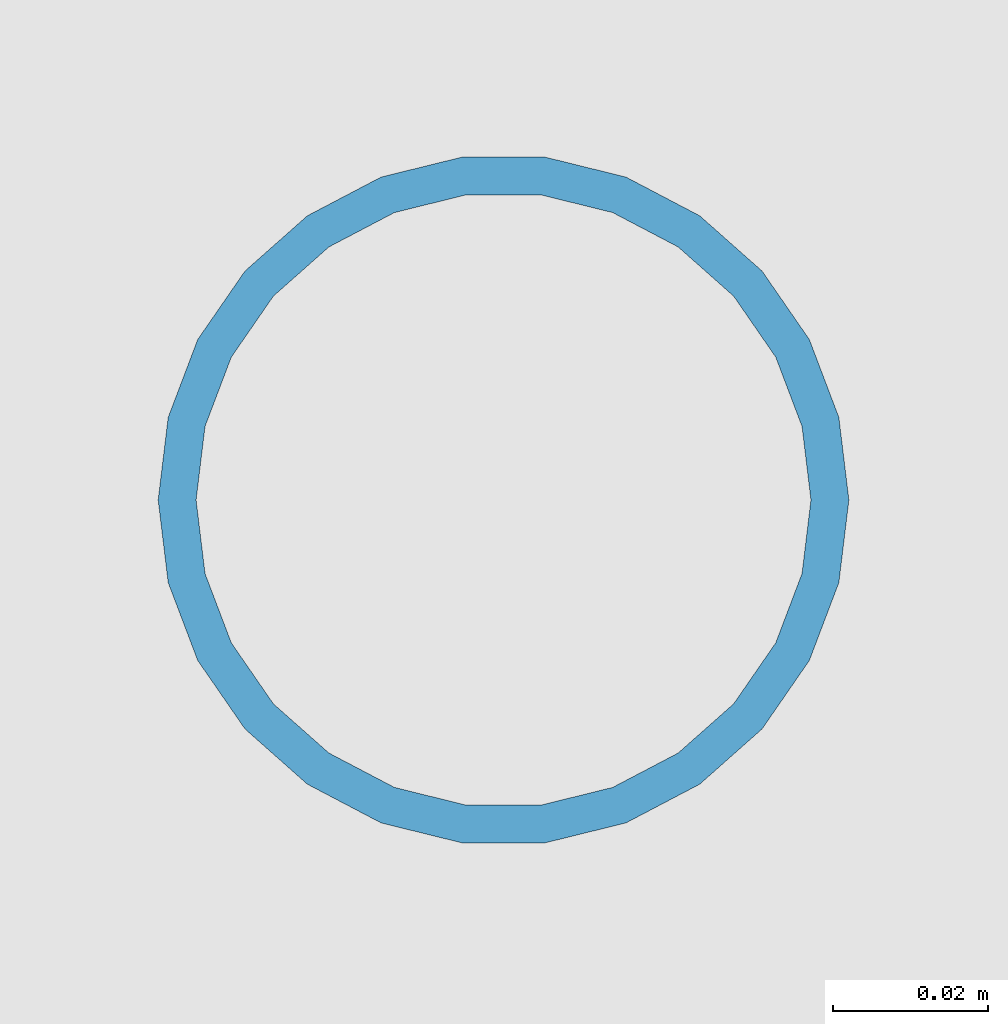
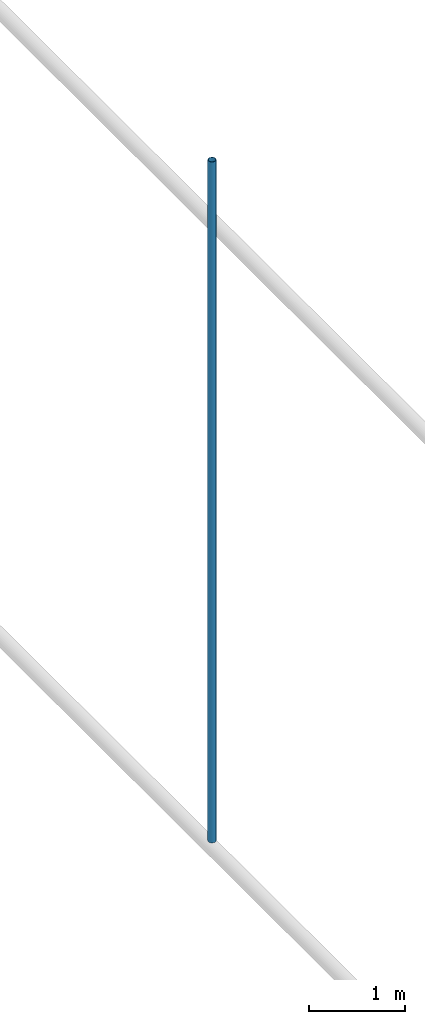
# One storey, part 24 of 109: 1 member.
"""IFC4 building model written with IfcOpenShell, lengths in metres."""

from ifc_helpers import new_model, si_unit, direction, frame, origin, origin_2d, place, context, subcontext, project, spatial, hollow_circle, extrude, material, material_profile, profile_set, type_object, element, save


model = new_model("IFC4")

# Units and contexts
model_context = context("Model", 3, precision=1e-05, world=origin(), true_north=direction((0.0, 1.0)))
body_context = subcontext(model_context, "Body", "Model", "MODEL_VIEW")
ifc_project = project(units=[si_unit("LENGTHUNIT", "METRE"), si_unit("AREAUNIT", "SQUARE_METRE"), si_unit("VOLUMEUNIT", "CUBIC_METRE"), si_unit("PLANEANGLEUNIT", "RADIAN"), si_unit("MASSUNIT", "GRAM", prefix="KILO")], contexts=[model_context])

# Site, building, storey
site_placement = place(None, origin())
site = spatial("IfcSite", under=ifc_project, at=site_placement, CompositionType="ELEMENT")
building_placement = place(site_placement, origin())
building = spatial("IfcBuilding", under=site, at=building_placement, Name="Lantern Court Research Institute", CompositionType="ELEMENT")
storey_placement = place(building_placement, frame((0.0, 0.0, 14.39990234375)))
storey = spatial("IfcBuildingStorey", under=building, at=storey_placement, Name="L03", CompositionType="ELEMENT", Elevation=14.39990234375)

# Member
ifc_material = material(Name="Structural steel S355", Category="steel")
ifc_material_profile = material_profile(ifc_material, hollow_circle(Radius=0.04443359375, WallThickness=0.0048828125, at=origin_2d()), Name="Gridshell hanger CHS 88.9 x 5")
ifc_profile_set = profile_set([ifc_material_profile], Name="Structural steel S355")
member_type = type_object("IfcMemberType", Name="Gridshell hanger CHS 88.9 x 5", PredefinedType="STRUT", material=ifc_profile_set)
member_placement = place(storey_placement, frame((56.571533203125, 40.125, 0.2841796875), z_axis=(0.0, 0.0, 1.0), x_axis=(1.0, 0.0, 0.0)))
element("IfcMember", 1, at=member_placement, inside=storey, type_object=member_type, Name="Gridshell hanger", PredefinedType="STRUT", context=body_context, shape_type="SweptSolid", body=[
    extrude(hollow_circle(Radius=0.04443359375, WallThickness=0.0048828125, at=origin_2d()), origin(), (0.0, 0.0, 1.0), 8.615966796875),
])

save(model, "model.ifc")
